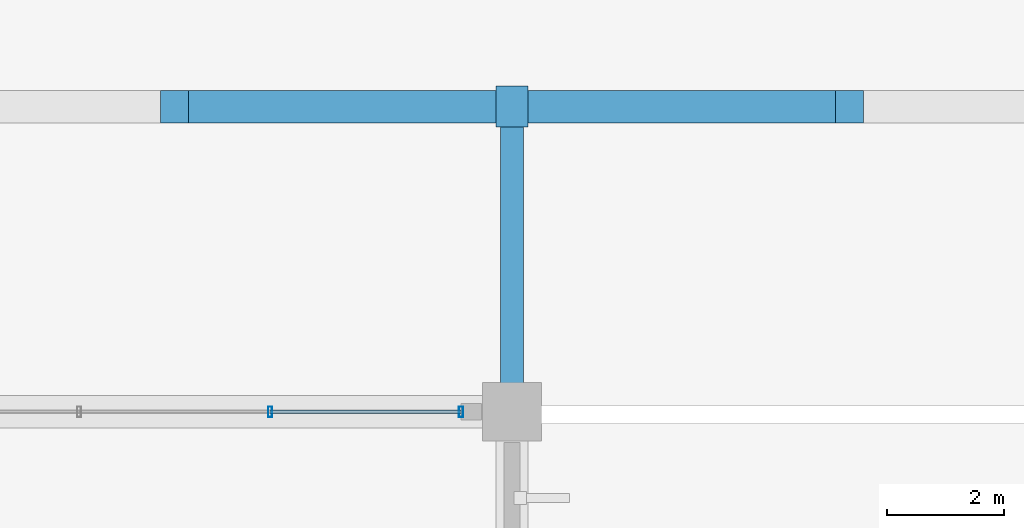
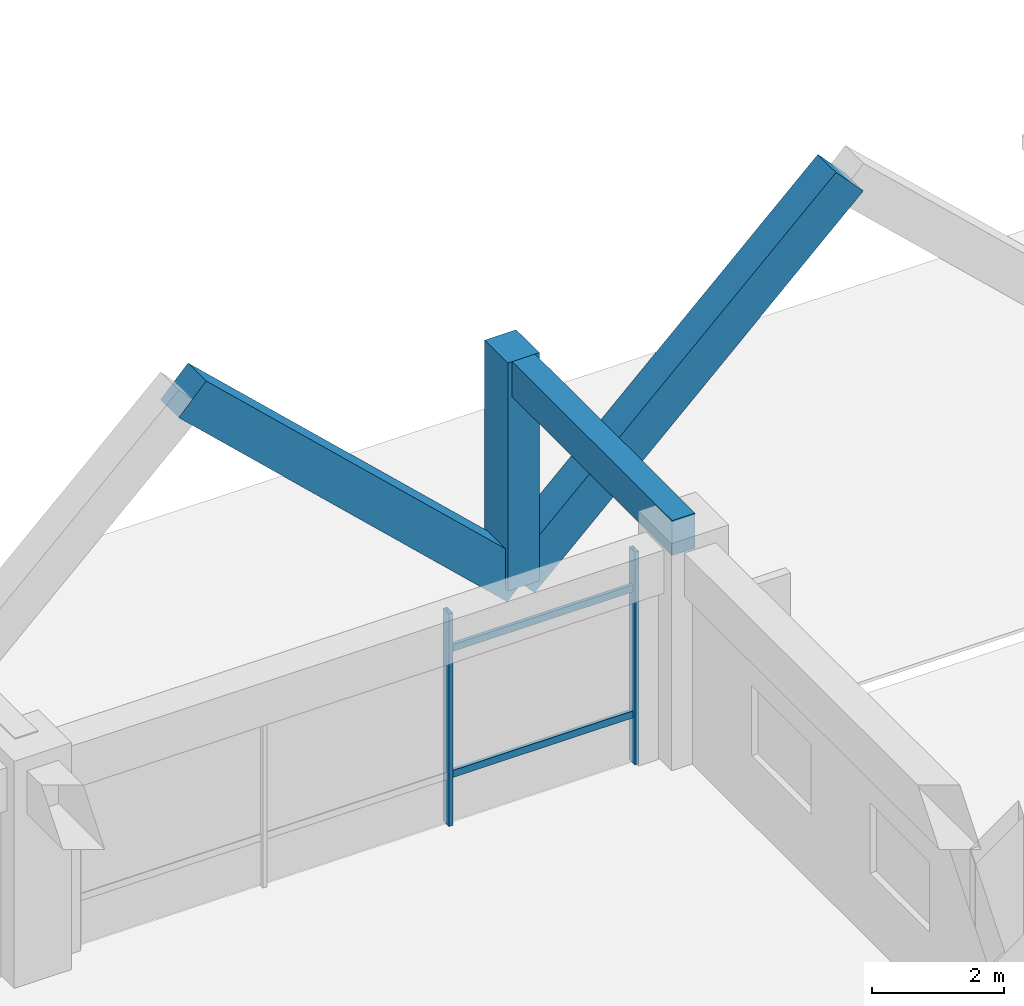
# One storey, part 70 of 109: 7 members, 1 beam, 1 element without a shape of its own.
"""IFC4 building model written with IfcOpenShell, lengths in metres."""

from ifc_helpers import new_model, si_unit, direction, frame, origin, origin_2d, place, context, subcontext, project, spatial, rectangle, hollow_rectangle, extrude, material, material_profile, profile_set, type_object, element, aggregate, save


model = new_model("IFC4")

# Units and contexts
model_context = context("Model", 3, precision=1e-05, world=origin(), true_north=direction((0.0, 1.0)))
body_context = subcontext(model_context, "Body", "Model", "MODEL_VIEW")
ifc_project = project(units=[si_unit("LENGTHUNIT", "METRE"), si_unit("AREAUNIT", "SQUARE_METRE"), si_unit("VOLUMEUNIT", "CUBIC_METRE"), si_unit("PLANEANGLEUNIT", "RADIAN"), si_unit("MASSUNIT", "GRAM", prefix="KILO")], contexts=[model_context])

# Site, building, storey
site_placement = place(None, origin())
site = spatial("IfcSite", under=ifc_project, at=site_placement, CompositionType="ELEMENT")
building_placement = place(site_placement, origin())
building = spatial("IfcBuilding", under=site, at=building_placement, Name="Ologun Quay Terminus", CompositionType="ELEMENT")
storey_placement = place(building_placement, origin())
storey = spatial("IfcBuildingStorey", under=building, at=storey_placement, Name="L00", CompositionType="ELEMENT", Elevation=0.0)

# Curtain wall, members
ifc_material_1 = material(Name="Aluminium 6063-T6", Category="aluminium")
curtain_wall_type = type_object("IfcCurtainWallType", Name="Waterfront Pavilion Harbour Curtain Wall L00 10500x3750", PredefinedType="USERDEFINED", material=ifc_material_1)
curtain_wall_placement = place(storey_placement, origin())
curtain_wall = element("IfcCurtainWall", 1, at=curtain_wall_placement, inside=storey, type_object=curtain_wall_type, Name="CW-22 Curtain Wall CW-L00-121", ObjectType="UNITISED CURTAIN WALL", PredefinedType="USERDEFINED")
ifc_material_2 = material(Name="Aluminium 6063-T6", Category="aluminium")
ifc_material_profile_1 = material_profile(ifc_material_2, hollow_rectangle(XDim=0.070068359375, YDim=0.179931640625, WallThickness=0.0048828125, at=origin_2d()), Name="ALU 180x70x5")
ifc_profile_set_1 = profile_set([ifc_material_profile_1], Name="Aluminium 6063-T6")
member_type_1 = type_object("IfcMemberType", Name="Curtain Wall Heavy Mullion 180x70", PredefinedType="MULLION", material=ifc_profile_set_1)
member_1_placement = place(storey_placement, frame((145.376708984375, 114.800048828125, 0.0), z_axis=(0.0, 0.0, 1.0), x_axis=(1.0, 0.0, 0.0)))
member_1 = element("IfcMember", 2, at=member_1_placement, type_object=member_type_1, Name="CW-L00-121 Mullion 3", PredefinedType="MULLION", context=body_context, shape_type="SweptSolid", body=[
    extrude(hollow_rectangle(XDim=0.070068359375, YDim=0.179931640625, WallThickness=0.0048828125, at=origin_2d()), origin(), (0.0, 0.0, 1.0), 3.929931640625),
])
member_2_placement = place(storey_placement, frame((148.6298828125, 114.800048828125, 0.0), z_axis=(0.0, 0.0, 1.0), x_axis=(1.0, 0.0, 0.0)))
member_2 = element("IfcMember", 3, at=member_2_placement, type_object=member_type_1, Name="CW-L00-121 Mullion 4", PredefinedType="MULLION", context=body_context, shape_type="SweptSolid", body=[
    extrude(hollow_rectangle(XDim=0.070068359375, YDim=0.179931640625, WallThickness=0.0048828125, at=origin_2d()), origin(), (0.0, 0.0, 1.0), 3.929931640625),
])
ifc_material_3 = material(Name="Aluminium 6063-T6", Category="aluminium")
ifc_material_profile_2 = material_profile(ifc_material_3, hollow_rectangle(XDim=0.06005859375, YDim=0.1298828125, WallThickness=0.00390625, at=origin_2d()), Name="ALU 130x60x4")
ifc_profile_set_2 = profile_set([ifc_material_profile_2], Name="Aluminium 6063-T6")
member_type_2 = type_object("IfcMemberType", Name="Curtain Wall Heavy Transom 130x60", PredefinedType="USERDEFINED", material=ifc_profile_set_2)
member_3_placement = place(storey_placement, frame((145.376708984375, 114.800048828125, 0.89990234375), z_axis=(1.0, 0.0, 0.0), x_axis=(0.0, 1.0, 0.0)))
member_3 = element("IfcMember", 4, at=member_3_placement, type_object=member_type_2, Name="CW-L00-121 Transom B3-1", ObjectType="TRANSOM", PredefinedType="USERDEFINED", context=body_context, shape_type="SweptSolid", body=[
    extrude(hollow_rectangle(XDim=0.06005859375, YDim=0.1298828125, WallThickness=0.00390625, at=origin_2d()), origin(), (0.0, 0.0, 1.0), 3.253173828125),
])
member_4_placement = place(storey_placement, frame((145.376708984375, 114.800048828125, 3.22998046875), z_axis=(1.0, 0.0, 0.0), x_axis=(0.0, 1.0, 0.0)))
member_4 = element("IfcMember", 5, at=member_4_placement, type_object=member_type_2, Name="CW-L00-121 Transom B3-2", ObjectType="TRANSOM", PredefinedType="USERDEFINED", context=body_context, shape_type="SweptSolid", body=[
    extrude(hollow_rectangle(XDim=0.06005859375, YDim=0.1298828125, WallThickness=0.00390625, at=origin_2d()), origin(), (0.0, 0.0, 1.0), 3.253173828125),
])
aggregate(curtain_wall, [member_1, member_2, member_3, member_4])

# Members
ifc_material_4 = material(Name="Concrete C45/55", Category="concrete")
ifc_material_profile_3 = material_profile(ifc_material_4, rectangle(XDim=0.550048828125, YDim=0.699951171875, at=origin_2d()), Name="RC 550x700")
ifc_profile_set_3 = profile_set([ifc_material_profile_3], Name="Concrete C45/55")
member_type_3 = type_object("IfcMemberType", Name="Folded Canopy Concrete V-Strut 550x700", PredefinedType="STRUT", material=ifc_profile_set_3)
member_5_placement = place(storey_placement, frame((149.5, 120.0, 0.0), z_axis=(0.0, 0.0, 1.0), x_axis=(1.0, 0.0, 0.0)))
element("IfcMember", 6, at=member_5_placement, inside=storey, type_object=member_type_3, Name="VS2 Harbour Colonnade Pier 14/L", PredefinedType="STRUT", context=body_context, shape_type="SweptSolid", body=[
    extrude(rectangle(XDim=0.550048828125, YDim=0.699951171875, at=origin_2d()), origin(), (0.0, 0.0, 1.0), 4.219970703125),
])
for number, where, z_axis, x_axis, name in (
    (7, (149.5, 120.0, 0.0), (-0.727684573488, 0.0, 0.685911919643), (0.0, -1.0, 0.0), "VS2 Colonnade Strut 14/L-W"),
    (8, (149.5, 120.0, 0.0), (0.727684573488, 0.0, 0.685911919643), (0.0, 1.0, 0.0), "VS2 Colonnade Strut 14/L-E"),
):
    element("IfcMember", number, at=place(storey_placement, frame(where, z_axis=z_axis, x_axis=x_axis)), inside=storey, type_object=member_type_3, Name=name, PredefinedType="STRUT", context=body_context, shape_type="SweptSolid", body=[
        extrude(rectangle(XDim=0.550048828125, YDim=0.699951171875, at=origin_2d()), origin(), (0.0, 0.0, 1.0), 7.90185546875),
    ])

# Beam
ifc_material_5 = material(Name="Concrete C40/50", Category="concrete")
ifc_material_profile_4 = material_profile(ifc_material_5, rectangle(XDim=0.39990234375, YDim=0.64990234375, at=origin_2d()), Name="RC 400x650")
ifc_profile_set_4 = profile_set([ifc_material_profile_4], Name="Concrete C40/50")
beam_type = type_object("IfcBeamType", Name="Station Secondary Joist 400x650", PredefinedType="JOIST", material=ifc_profile_set_4)
beam_placement = place(storey_placement, frame((149.5, 114.800048828125, 3.89501953125), z_axis=(0.0, 1.0, 0.0), x_axis=(-1.0, 0.0, 0.0)))
element("IfcBeam", 9, at=beam_placement, inside=storey, type_object=beam_type, Name="J1 Beam 14/L L00", PredefinedType="JOIST", context=body_context, shape_type="SweptSolid", body=[
    extrude(rectangle(XDim=0.39990234375, YDim=0.64990234375, at=origin_2d()), origin(), (0.0, 0.0, 1.0), 5.199951171875),
])

save(model, "model.ifc")
